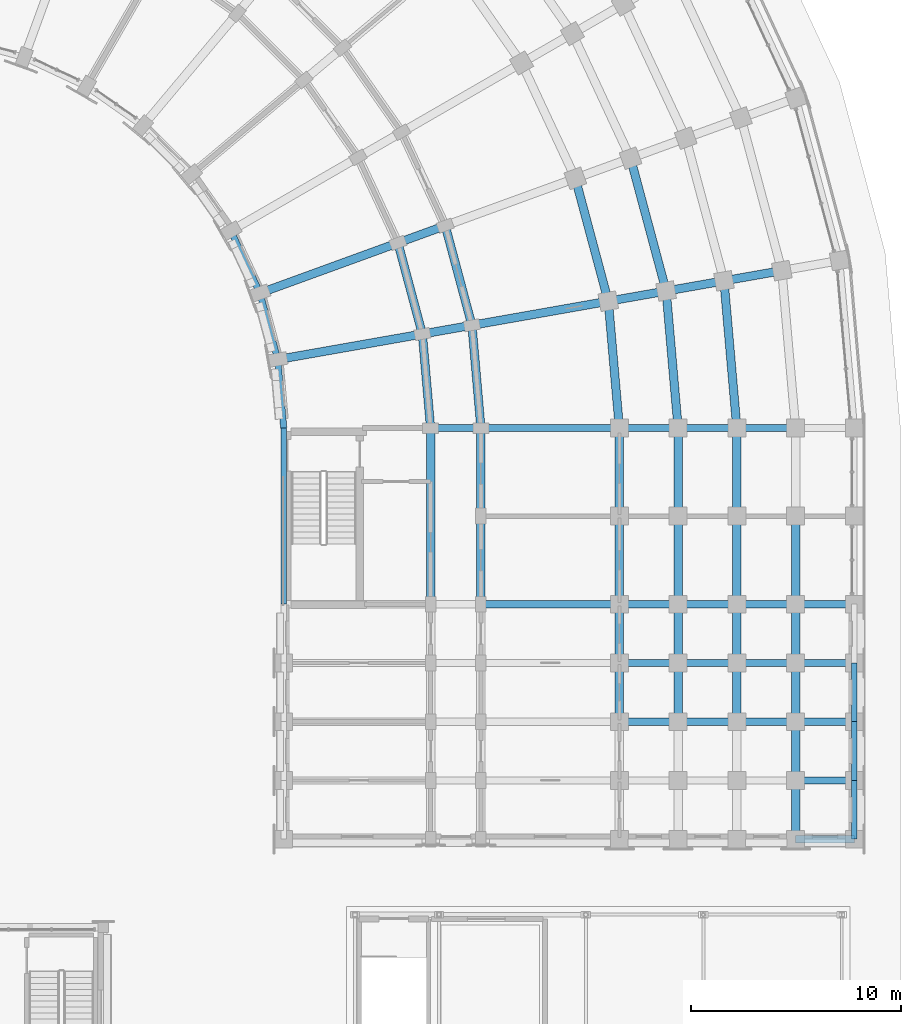
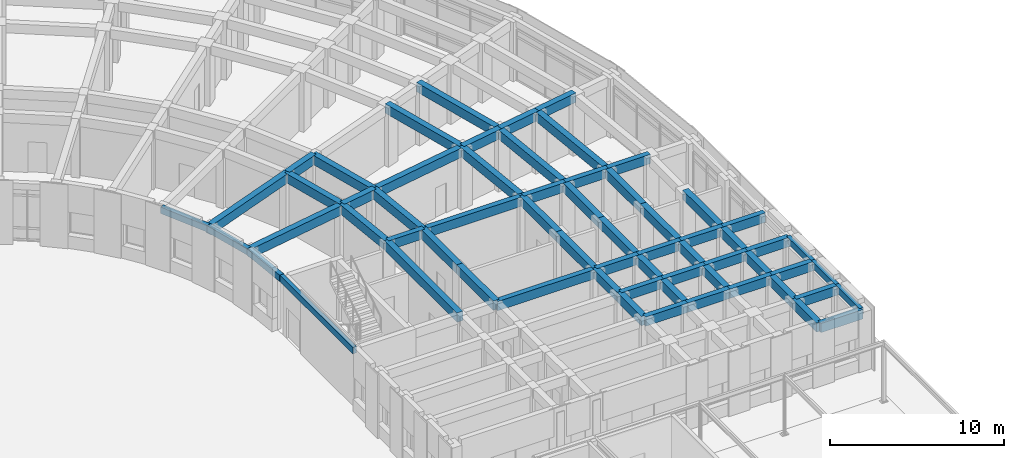
# One storey, part 48 of 135: 64 beams.
"""IFC4 building model written with IfcOpenShell, lengths in metres."""

import ifcopenshell
import ifcopenshell.guid

model = None  # the IFC model being written
_history = None  # IfcOwnerHistory: only IFC2X3 demands one
_inside = {}  # id of a spatial element -> (the spatial element, [elements in it])
_under = {}  # id of a project, library or spatial element -> (it, [spatial elements below it])
_declared = {}  # id of a project -> (the project, [libraries it declares])
_typed = {}  # id of a type object -> (the type object, [elements of that type])
_made_of = {}  # id of a material, layer set ... -> (it, [elements and type objects made of it])


def new_model(schema):
    """Start an empty IFC model of exactly this schema.

    Asked for "IFC4X3", IfcOpenShell would pick the latest addendum, in which some entities
    have other attributes; the version numbers below select the first issue.
    IFC2X3 requires an IfcOwnerHistory on every rooted entity: one is made here for all.
    """
    global model, _history
    if schema == "IFC4X3":
        model = ifcopenshell.file(schema_version=(4, 3, 0, 0))
    else:
        model = ifcopenshell.file(schema=schema)
    _inside.clear()
    _under.clear()
    _declared.clear()
    _typed.clear()
    _made_of.clear()
    _history = None
    if model.schema == "IFC2X3":
        org = make("IfcOrganization", Name="unknown")
        user = make(
            "IfcPersonAndOrganization",
            ThePerson=make("IfcPerson", FamilyName="unknown"),
            TheOrganization=org,
        )
        app = make(
            "IfcApplication",
            ApplicationDeveloper=org,
            Version="unknown",
            ApplicationFullName="unknown",
            ApplicationIdentifier="unknown",
        )
        _history = make(
            "IfcOwnerHistory",
            OwningUser=user,
            OwningApplication=app,
            ChangeAction="ADDED",
            CreationDate=0,
        )
    return model


def make(cls, **values):
    """One entity of the class cls with the attributes given. An attribute that is None is left unset."""
    return model.create_entity(
        cls, **{name: value for name, value in values.items() if value is not None}
    )


def rooted(cls, **values):
    """An entity with a GlobalId (a new one), such as an element, a storey or a relation."""
    return make(cls, GlobalId=ifcopenshell.guid.new(), OwnerHistory=_history, **values)


def si_unit(unit_type, name, prefix=None):
    """IfcSIUnit, for example si_unit("LENGTHUNIT", "METRE", prefix="MILLI")."""
    return make("IfcSIUnit", UnitType=unit_type, Prefix=prefix, Name=name)


def assignment(units):
    """IfcUnitAssignment: the units of a project."""
    return None if units is None else make("IfcUnitAssignment", Units=units)


def point(xyz):
    """IfcCartesianPoint."""
    return None if xyz is None else make("IfcCartesianPoint", Coordinates=xyz)


def direction(xyz):
    """IfcDirection."""
    return None if xyz is None else make("IfcDirection", DirectionRatios=xyz)


def frame(location, z_axis=None, x_axis=None):
    """IfcAxis2Placement3D, a coordinate frame: its origin and axes. An axis left out is left unset."""
    return make(
        "IfcAxis2Placement3D",
        Location=point(location),
        Axis=direction(z_axis),
        RefDirection=direction(x_axis),
    )


def frame_2d(location, x_axis=None):
    """IfcAxis2Placement2D, a coordinate frame in the plane: its origin and x axis."""
    return make(
        "IfcAxis2Placement2D", Location=point(location), RefDirection=direction(x_axis)
    )


def origin():
    """The frame at (0, 0, 0) with its axes left unset."""
    return frame((0.0, 0.0, 0.0))


def origin_2d():
    """The frame at (0, 0) in the plane with its x axis left unset."""
    return frame_2d((0.0, 0.0))


def place(relative_to, where):
    """IfcLocalPlacement: puts the frame where relative to a parent placement (None: the world)."""
    return make(
        "IfcLocalPlacement", PlacementRelTo=relative_to, RelativePlacement=where
    )


def context(
    kind, dimensions, precision=None, world=None, true_north=None, identifier=None
):
    """IfcGeometricRepresentationContext, for example the 3D "Model" context."""
    return make(
        "IfcGeometricRepresentationContext",
        ContextIdentifier=identifier,
        ContextType=kind,
        CoordinateSpaceDimension=dimensions,
        Precision=precision,
        WorldCoordinateSystem=world,
        TrueNorth=true_north,
    )


def subcontext(parent, identifier, kind, view, scale=None):
    """IfcGeometricRepresentationSubContext, for example "Body" below "Model"."""
    return make(
        "IfcGeometricRepresentationSubContext",
        ContextIdentifier=identifier,
        ContextType=kind,
        ParentContext=parent,
        TargetScale=scale,
        TargetView=view,
    )


def project(units=None, contexts=None):
    """IfcProject with its units and contexts."""
    return rooted(
        "IfcProject",
        Name="project",
        RepresentationContexts=contexts,
        UnitsInContext=assignment(units),
    )


def spatial(cls, under=None, at=None, **own):
    """A site, building, storey or space (cls), placed at a placement, below another one or the project."""
    s = rooted(cls, ObjectPlacement=at, **own)
    if under is not None:
        _under.setdefault(under.id(), (under, []))[1].append(s)
    return s


def profile(cls, at=None, kind="AREA", **sizes):
    """A parametric profile (cls). Its sizes go by their IFC names, for example OverallWidth=200.0."""
    return make(cls, ProfileType=kind, Position=at, **sizes)


def rectangle(**sizes):
    """IfcRectangleProfileDef."""
    return profile("IfcRectangleProfileDef", **sizes)


def extrude(swept, where, along, depth):
    """IfcExtrudedAreaSolid: the profile swept, set in the frame where, extruded along a direction by depth."""
    return make(
        "IfcExtrudedAreaSolid",
        SweptArea=swept,
        Position=where,
        ExtrudedDirection=direction(along),
        Depth=depth,
    )


def shape(context_of_items, identifier, shape_type, items):
    """IfcShapeRepresentation: the items that make up one representation, for example the "Body"."""
    return make(
        "IfcShapeRepresentation",
        ContextOfItems=context_of_items,
        RepresentationIdentifier=identifier,
        RepresentationType=shape_type,
        Items=items,
    )


def material(Name=None, Category=None):
    """IfcMaterial."""
    return make("IfcMaterial", Name=Name, Category=Category)


def material_profile(
    of_material, cross_section, Name=None, Category=None, Priority=None
):
    """IfcMaterialProfile: a cross section and its material."""
    return make(
        "IfcMaterialProfile",
        Name=Name,
        Material=of_material,
        Profile=cross_section,
        Priority=Priority,
        Category=Category,
    )


def profile_set(profiles, Name=None, composite=None):
    """IfcMaterialProfileSet."""
    return make(
        "IfcMaterialProfileSet",
        Name=Name,
        MaterialProfiles=profiles,
        CompositeProfile=composite,
    )


def made_of(thing, what):
    """Note that an element or type object is made of a material, layer set ...; save() writes the relation."""
    if what is not None:
        _made_of.setdefault(what.id(), (what, []))[1].append(thing)
    return thing


def type_object(cls, material=None, **own):
    """A type object (cls), such as IfcWallType, which elements share."""
    return made_of(rooted(cls, **own), material)


def element(
    cls,
    number,
    at=None,
    inside=None,
    cuts=None,
    type_object=None,
    material=None,
    context=None,
    identifier="Body",
    shape_type=None,
    held_by="IfcProductDefinitionShape",
    body=None,
    shapes=None,
    **own,
):
    """One element of the class cls, such as IfcWall. Its Tag is "e" and its number.

    at: its placement. inside: the storey or other place that contains it. cuts: it is an
    opening in that element (IfcRelVoidsElement). A single representation is given by context,
    identifier, shape_type and body (its items); several are given by shapes. held_by: the class
    of the entity that holds the representations. save() writes the other relations.
    """
    e = rooted(cls, Tag="e%d" % number, ObjectPlacement=at, **own)
    if body is not None:
        shapes = [shape(context, identifier, shape_type, body)]
    if shapes is not None:
        e.Representation = make(held_by, Representations=shapes)
    if inside is not None:
        _inside.setdefault(inside.id(), (inside, []))[1].append(e)
    if cuts is not None:
        rooted(
            "IfcRelVoidsElement", RelatingBuildingElement=cuts, RelatedOpeningElement=e
        )
    if type_object is not None:
        _typed.setdefault(type_object.id(), (type_object, []))[1].append(e)
    return made_of(e, material)


def aggregate(whole, parts):
    """IfcRelAggregates: a whole, such as a stair, and the parts it consists of."""
    return rooted("IfcRelAggregates", RelatingObject=whole, RelatedObjects=parts)


def save(model, path):
    """Write the relations noted so far, then the file.

    IfcRelAggregates (storeys below a building ...), IfcRelContainedInSpatialStructure (elements
    in a storey), IfcRelDefinesByType, IfcRelAssociatesMaterial and IfcRelDeclares: one each for
    every whole, place, type object, material and project.
    """
    for whole, parts in _under.values():
        aggregate(whole, parts)
    for where, things in _inside.values():
        rooted(
            "IfcRelContainedInSpatialStructure",
            RelatedElements=things,
            RelatingStructure=where,
        )
    for kind, things in _typed.values():
        rooted("IfcRelDefinesByType", RelatedObjects=things, RelatingType=kind)
    for what, things in _made_of.values():
        rooted("IfcRelAssociatesMaterial", RelatedObjects=things, RelatingMaterial=what)
    for by, libraries in _declared.values():
        rooted("IfcRelDeclares", RelatingContext=by, RelatedDefinitions=libraries)
    model.write(path)


model = new_model("IFC4")

# Units and contexts
model_context = context("Model", 3, precision=1e-05, world=origin(), true_north=direction((0.0, 1.0)))
body_context = subcontext(model_context, "Body", "Model", "MODEL_VIEW")
ifc_project = project(units=[si_unit("LENGTHUNIT", "METRE"), si_unit("AREAUNIT", "SQUARE_METRE"), si_unit("VOLUMEUNIT", "CUBIC_METRE"), si_unit("PLANEANGLEUNIT", "RADIAN"), si_unit("MASSUNIT", "GRAM", prefix="KILO")], contexts=[model_context])

# Site, building, storey
site_placement = place(None, origin())
site = spatial("IfcSite", under=ifc_project, at=site_placement, CompositionType="ELEMENT")
building_placement = place(site_placement, origin())
building = spatial("IfcBuilding", under=site, at=building_placement, Name="Kiranvali Square Residences", CompositionType="ELEMENT")
storey_placement = place(building_placement, origin())
storey = spatial("IfcBuildingStorey", under=building, at=storey_placement, Name="L00", CompositionType="ELEMENT", Elevation=0.0)

# Beams
ifc_material_1 = material(Name="Concrete M40 (40 MPa)", Category="concrete")
ifc_material_profile_1 = material_profile(ifc_material_1, rectangle(XDim=0.35009765625, YDim=0.64990234375, at=origin_2d()), Name="RC 350x650")
ifc_profile_set_1 = profile_set([ifc_material_profile_1], Name="Concrete M40 (40 MPa)")
beam_type_1 = type_object("IfcBeamType", Name="BM-M40-350x650", PredefinedType="BEAM", material=ifc_profile_set_1)
beam_1_placement = place(storey_placement, frame((145.60009765625, 87.800048828125, 3.824951171875), z_axis=(1.0, 0.0, 0.0), x_axis=(0.0, 1.0, 0.0)))
element("IfcBeam", 1, at=beam_1_placement, inside=storey, type_object=beam_type_1, Name="L00 beam BM-B-L00-A2T0-12", PredefinedType="BEAM", context=body_context, shape_type="SweptSolid", body=[
    extrude(rectangle(XDim=0.35009765625, YDim=0.64990234375, at=origin_2d()), origin(), (0.0, 0.0, 1.0), 2.39990234375),
])
beam_2_placement = place(storey_placement, frame((148.0, 87.800048828125, 3.824951171875), z_axis=(1.0, 0.0, 0.0), x_axis=(0.0, 1.0, 0.0)))
element("IfcBeam", 2, at=beam_2_placement, inside=storey, type_object=beam_type_1, Name="L00 beam BM-B-L00-A2T0-23", PredefinedType="BEAM", context=body_context, shape_type="SweptSolid", body=[
    extrude(rectangle(XDim=0.35009765625, YDim=0.64990234375, at=origin_2d()), origin(), (0.0, 0.0, 1.0), 6.60009765625),
])
beam_3_placement = place(storey_placement, frame((154.60009765625, 87.800048828125, 3.824951171875), z_axis=(1.0, 0.0, 0.0), x_axis=(0.0, 1.0, 0.0)))
element("IfcBeam", 3, at=beam_3_placement, inside=storey, type_object=beam_type_1, Name="L00 beam BM-B-L00-A2T0-34", PredefinedType="BEAM", context=body_context, shape_type="SweptSolid", body=[
    extrude(rectangle(XDim=0.35009765625, YDim=0.64990234375, at=origin_2d()), origin(), (0.0, 0.0, 1.0), 2.7998046875),
])
for number, where, z_axis, x_axis, name in (
    (4, (157.39990234375, 87.800048828125, 3.824951171875), (1.0, 0.0, 0.0), (0.0, 1.0, 0.0), "L00 beam BM-B-L00-A2T0-45"),
    (5, (160.199951171875, 87.800048828125, 3.824951171875), (1.0, 0.0, 0.0), (0.0, 1.0, 0.0), "L00 beam BM-B-L00-A2T0-56"),
):
    element("IfcBeam", number, at=place(storey_placement, frame(where, z_axis=z_axis, x_axis=x_axis)), inside=storey, type_object=beam_type_1, Name=name, PredefinedType="BEAM", context=body_context, shape_type="SweptSolid", body=[
        extrude(rectangle(XDim=0.35009765625, YDim=0.64990234375, at=origin_2d()), origin(), (0.0, 0.0, 1.0), 2.800048828125),
    ])
beam_4_placement = place(storey_placement, frame((148.0, 79.39990234375, 3.824951171875), z_axis=(1.0, 0.0, 0.0), x_axis=(0.0, 1.0, 0.0)))
element("IfcBeam", 6, at=beam_4_placement, inside=storey, type_object=beam_type_1, Name="L00 beam BM-B-L00-A2T1-23", PredefinedType="BEAM", context=body_context, shape_type="SweptSolid", body=[
    extrude(rectangle(XDim=0.35009765625, YDim=0.64990234375, at=origin_2d()), origin(), (0.0, 0.0, 1.0), 6.60009765625),
])
beam_5_placement = place(storey_placement, frame((154.60009765625, 79.39990234375, 3.824951171875), z_axis=(1.0, 0.0, 0.0), x_axis=(0.0, 1.0, 0.0)))
element("IfcBeam", 7, at=beam_5_placement, inside=storey, type_object=beam_type_1, Name="L00 beam BM-B-L00-A2T1-34", PredefinedType="BEAM", context=body_context, shape_type="SweptSolid", body=[
    extrude(rectangle(XDim=0.35009765625, YDim=0.64990234375, at=origin_2d()), origin(), (0.0, 0.0, 1.0), 2.7998046875),
])
for number, where, z_axis, x_axis, name in (
    (8, (157.39990234375, 79.39990234375, 3.824951171875), (1.0, 0.0, 0.0), (0.0, 1.0, 0.0), "L00 beam BM-B-L00-A2T1-45"),
    (9, (160.199951171875, 79.39990234375, 3.824951171875), (1.0, 0.0, 0.0), (0.0, 1.0, 0.0), "L00 beam BM-B-L00-A2T1-56"),
    (10, (163.0, 79.39990234375, 3.824951171875), (1.0, 0.0, 0.0), (0.0, 1.0, 0.0), "L00 beam BM-B-L00-A2T1-67"),
):
    element("IfcBeam", number, at=place(storey_placement, frame(where, z_axis=z_axis, x_axis=x_axis)), inside=storey, type_object=beam_type_1, Name=name, PredefinedType="BEAM", context=body_context, shape_type="SweptSolid", body=[
        extrude(rectangle(XDim=0.35009765625, YDim=0.64990234375, at=origin_2d()), origin(), (0.0, 0.0, 1.0), 2.800048828125),
    ])
beam_6_placement = place(storey_placement, frame((154.60009765625, 76.60009765625, 3.824951171875), z_axis=(1.0, 0.0, 0.0), x_axis=(0.0, 1.0, 0.0)))
element("IfcBeam", 11, at=beam_6_placement, inside=storey, type_object=beam_type_1, Name="L00 beam BM-B-L00-A2T2-34", PredefinedType="BEAM", context=body_context, shape_type="SweptSolid", body=[
    extrude(rectangle(XDim=0.35009765625, YDim=0.64990234375, at=origin_2d()), origin(), (0.0, 0.0, 1.0), 2.7998046875),
])
for number, where, z_axis, x_axis, name in (
    (12, (157.39990234375, 76.60009765625, 3.824951171875), (1.0, 0.0, 0.0), (0.0, 1.0, 0.0), "L00 beam BM-B-L00-A2T2-45"),
    (13, (160.199951171875, 76.60009765625, 3.824951171875), (1.0, 0.0, 0.0), (0.0, 1.0, 0.0), "L00 beam BM-B-L00-A2T2-56"),
    (14, (163.0, 76.60009765625, 3.824951171875), (1.0, 0.0, 0.0), (0.0, 1.0, 0.0), "L00 beam BM-B-L00-A2T2-67"),
):
    element("IfcBeam", number, at=place(storey_placement, frame(where, z_axis=z_axis, x_axis=x_axis)), inside=storey, type_object=beam_type_1, Name=name, PredefinedType="BEAM", context=body_context, shape_type="SweptSolid", body=[
        extrude(rectangle(XDim=0.35009765625, YDim=0.64990234375, at=origin_2d()), origin(), (0.0, 0.0, 1.0), 2.800048828125),
    ])
beam_7_placement = place(storey_placement, frame((154.60009765625, 73.800048828125, 3.824951171875), z_axis=(1.0, 0.0, 0.0), x_axis=(0.0, 1.0, 0.0)))
element("IfcBeam", 15, at=beam_7_placement, inside=storey, type_object=beam_type_1, Name="L00 beam BM-B-L00-A2T3-34", PredefinedType="BEAM", context=body_context, shape_type="SweptSolid", body=[
    extrude(rectangle(XDim=0.35009765625, YDim=0.64990234375, at=origin_2d()), origin(), (0.0, 0.0, 1.0), 2.7998046875),
])
for number, where, z_axis, x_axis, name in (
    (16, (157.39990234375, 73.800048828125, 3.824951171875), (1.0, 0.0, 0.0), (0.0, 1.0, 0.0), "L00 beam BM-B-L00-A2T3-45"),
    (17, (160.199951171875, 73.800048828125, 3.824951171875), (1.0, 0.0, 0.0), (0.0, 1.0, 0.0), "L00 beam BM-B-L00-A2T3-56"),
    (18, (163.0, 73.800048828125, 3.824951171875), (1.0, 0.0, 0.0), (0.0, 1.0, 0.0), "L00 beam BM-B-L00-A2T3-67"),
    (19, (163.0, 71.0, 3.824951171875), (1.0, 0.0, 0.0), (0.0, 1.0, 0.0), "L00 beam BM-B-L00-A2T4-67"),
    (20, (163.0, 68.199951171875, 3.824951171875), (1.0, 0.0, 0.0), (0.0, 1.0, 0.0), "L00 beam BM-B-L00-A2T5-67"),
):
    element("IfcBeam", number, at=place(storey_placement, frame(where, z_axis=z_axis, x_axis=x_axis)), inside=storey, type_object=beam_type_1, Name=name, PredefinedType="BEAM", context=body_context, shape_type="SweptSolid", body=[
        extrude(rectangle(XDim=0.35009765625, YDim=0.64990234375, at=origin_2d()), origin(), (0.0, 0.0, 1.0), 2.800048828125),
    ])
ifc_material_2 = material(Name="Concrete M45 (45 MPa)", Category="concrete")
ifc_material_profile_2 = material_profile(ifc_material_2, rectangle(XDim=0.39990234375, YDim=0.64990234375, at=origin_2d()), Name="RC 400x650")
ifc_profile_set_2 = profile_set([ifc_material_profile_2], Name="Concrete M45 (45 MPa)")
beam_type_2 = type_object("IfcBeamType", Name="BM-M45-400x650", PredefinedType="BEAM", material=ifc_profile_set_2)
beam_8_placement = place(storey_placement, frame((144.044189453125, 96.6240234375, 3.824951171875), z_axis=(0.258787642463, -0.965934240054, 0.0), x_axis=(0.965934240054, 0.258787642463, 0.0)))
element("IfcBeam", 21, at=beam_8_placement, inside=storey, type_object=beam_type_2, Name="L00 beam BM-B-L00-C07-R1", PredefinedType="BEAM", context=body_context, shape_type="SweptSolid", body=[
    extrude(rectangle(XDim=0.39990234375, YDim=0.64990234375, at=origin_2d()), origin(), (0.0, 0.0, 1.0), 4.497314453125),
])
beam_9_placement = place(storey_placement, frame((146.29931640625, 97.445068359375, 3.824951171875), z_axis=(0.258803112091, -0.965930095386, 0.0), x_axis=(0.965930095386, 0.258803112091, 0.0)))
element("IfcBeam", 22, at=beam_9_placement, inside=storey, type_object=beam_type_2, Name="L00 beam BM-B-L00-C07-R2", PredefinedType="BEAM", context=body_context, shape_type="SweptSolid", body=[
    extrude(rectangle(XDim=0.39990234375, YDim=0.64990234375, at=origin_2d()), origin(), (0.0, 0.0, 1.0), 4.915771484375),
])
beam_10_placement = place(storey_placement, frame((152.501220703125, 99.702392578125, 3.824951171875), z_axis=(0.258827283048, -0.965923618901, 0.0), x_axis=(0.965923618901, 0.258827283048, 0.0)))
element("IfcBeam", 23, at=beam_10_placement, inside=storey, type_object=beam_type_2, Name="L00 beam BM-B-L00-C07-R3", PredefinedType="BEAM", context=body_context, shape_type="SweptSolid", body=[
    extrude(rectangle(XDim=0.39990234375, YDim=0.64990234375, at=origin_2d()), origin(), (0.0, 0.0, 1.0), 6.066162109375),
])
beam_11_placement = place(storey_placement, frame((155.13232421875, 100.659912109375, 3.824951171875), z_axis=(0.258847178297, -0.965918287583, 0.0), x_axis=(0.965918287583, 0.258847178297, 0.0)))
element("IfcBeam", 24, at=beam_11_placement, inside=storey, type_object=beam_type_2, Name="L00 beam BM-B-L00-C07-R4", PredefinedType="BEAM", context=body_context, shape_type="SweptSolid", body=[
    extrude(rectangle(XDim=0.39990234375, YDim=0.64990234375, at=origin_2d()), origin(), (0.0, 0.0, 1.0), 6.55419921875),
])
beam_12_placement = place(storey_placement, frame((145.2080078125, 92.280029296875, 3.824951171875), z_axis=(0.087187153726, -0.996191949488, 0.0), x_axis=(0.996191949488, 0.087187153726, 0.0)))
element("IfcBeam", 25, at=beam_12_placement, inside=storey, type_object=beam_type_2, Name="L00 beam BM-B-L00-C08-R1", PredefinedType="BEAM", context=body_context, shape_type="SweptSolid", body=[
    extrude(rectangle(XDim=0.39990234375, YDim=0.64990234375, at=origin_2d()), origin(), (0.0, 0.0, 1.0), 4.4970703125),
])
beam_13_placement = place(storey_placement, frame((147.571533203125, 92.69677734375, 3.824951171875), z_axis=(0.087167566415, -0.996193663584, 0.0), x_axis=(0.996193663584, 0.087167566415, 0.0)))
element("IfcBeam", 26, at=beam_13_placement, inside=storey, type_object=beam_type_2, Name="L00 beam BM-B-L00-C08-R2", PredefinedType="BEAM", context=body_context, shape_type="SweptSolid", body=[
    extrude(rectangle(XDim=0.39990234375, YDim=0.64990234375, at=origin_2d()), origin(), (0.0, 0.0, 1.0), 4.91552734375),
])
beam_14_placement = place(storey_placement, frame((154.0712890625, 93.843017578125, 3.824951171875), z_axis=(0.087174938512, -0.996193018494, 0.0), x_axis=(0.996193018494, 0.087174938512, 0.0)))
element("IfcBeam", 27, at=beam_14_placement, inside=storey, type_object=beam_type_2, Name="L00 beam BM-B-L00-C08-R3", PredefinedType="BEAM", context=body_context, shape_type="SweptSolid", body=[
    extrude(rectangle(XDim=0.39990234375, YDim=0.64990234375, at=origin_2d()), origin(), (0.0, 0.0, 1.0), 6.066162109375),
])
beam_15_placement = place(storey_placement, frame((156.828857421875, 94.3291015625, 3.824951171875), z_axis=(0.0871295204, -0.996196991902, 0.0), x_axis=(0.996196991902, 0.0871295204, 0.0)))
element("IfcBeam", 28, at=beam_15_placement, inside=storey, type_object=beam_type_2, Name="L00 beam BM-B-L00-C08-R4", PredefinedType="BEAM", context=body_context, shape_type="SweptSolid", body=[
    extrude(rectangle(XDim=0.39990234375, YDim=0.64990234375, at=origin_2d()), origin(), (0.0, 0.0, 1.0), 6.553955078125),
])
beam_16_placement = place(storey_placement, frame((159.586181640625, 94.8154296875, 3.824951171875), z_axis=(0.087156198737, -0.996194658198, 0.0), x_axis=(0.996194658198, 0.087156198737, 0.0)))
element("IfcBeam", 29, at=beam_16_placement, inside=storey, type_object=beam_type_2, Name="L00 beam BM-B-L00-C08-R5", PredefinedType="BEAM", context=body_context, shape_type="SweptSolid", body=[
    extrude(rectangle(XDim=0.39990234375, YDim=0.64990234375, at=origin_2d()), origin(), (0.0, 0.0, 1.0), 7.042236328125),
])
beam_17_placement = place(storey_placement, frame((137.46630859375, 94.22998046875, 3.824951171875), z_axis=(0.939697665127, 0.342006283793, 0.0), x_axis=(-0.342006283793, 0.939697665127, 0.0)))
element("IfcBeam", 30, at=beam_17_placement, inside=storey, type_object=beam_type_2, Name="L00 beam BM-B-L00-RAD07-01", PredefinedType="BEAM", context=body_context, shape_type="SweptSolid", body=[
    extrude(rectangle(XDim=0.39990234375, YDim=0.64990234375, at=origin_2d()), origin(), (0.0, 0.0, 1.0), 7.0),
])
beam_18_placement = place(storey_placement, frame((144.044189453125, 96.6240234375, 3.824951171875), z_axis=(0.939659694648, 0.342110593602, 0.0), x_axis=(-0.342110593602, 0.939659694648, 0.0)))
element("IfcBeam", 31, at=beam_18_placement, inside=storey, type_object=beam_type_2, Name="L00 beam BM-B-L00-RAD07-12", PredefinedType="BEAM", context=body_context, shape_type="SweptSolid", body=[
    extrude(rectangle(XDim=0.39990234375, YDim=0.64990234375, at=origin_2d()), origin(), (0.0, 0.0, 1.0), 2.39990234375),
])
beam_19_placement = place(storey_placement, frame((138.314453125, 91.064697265625, 3.824951171875), z_axis=(0.984812337125, 0.173622177865, 0.0), x_axis=(-0.173622177865, 0.984812337125, 0.0)))
element("IfcBeam", 32, at=beam_19_placement, inside=storey, type_object=beam_type_2, Name="L00 beam BM-B-L00-RAD08-01", PredefinedType="BEAM", context=body_context, shape_type="SweptSolid", body=[
    extrude(rectangle(XDim=0.39990234375, YDim=0.64990234375, at=origin_2d()), origin(), (0.0, 0.0, 1.0), 6.999755859375),
])
beam_20_placement = place(storey_placement, frame((145.2080078125, 92.280029296875, 3.824951171875), z_axis=(0.984808127031, 0.173646056486, 0.0), x_axis=(-0.173646056486, 0.984808127031, 0.0)))
element("IfcBeam", 33, at=beam_20_placement, inside=storey, type_object=beam_type_2, Name="L00 beam BM-B-L00-RAD08-12", PredefinedType="BEAM", context=body_context, shape_type="SweptSolid", body=[
    extrude(rectangle(XDim=0.39990234375, YDim=0.64990234375, at=origin_2d()), origin(), (0.0, 0.0, 1.0), 2.39990234375),
])
beam_21_placement = place(storey_placement, frame((147.571533203125, 92.69677734375, 3.824951171875), z_axis=(0.984803661269, 0.173671381499, 0.0), x_axis=(-0.173671381499, 0.984803661269, 0.0)))
element("IfcBeam", 34, at=beam_21_placement, inside=storey, type_object=beam_type_2, Name="L00 beam BM-B-L00-RAD08-23", PredefinedType="BEAM", context=body_context, shape_type="SweptSolid", body=[
    extrude(rectangle(XDim=0.39990234375, YDim=0.64990234375, at=origin_2d()), origin(), (0.0, 0.0, 1.0), 6.60009765625),
])
beam_22_placement = place(storey_placement, frame((154.0712890625, 93.843017578125, 3.824951171875), z_axis=(0.984816895441, 0.173596320392, 0.0), x_axis=(-0.173596320392, 0.984816895441, 0.0)))
element("IfcBeam", 35, at=beam_22_placement, inside=storey, type_object=beam_type_2, Name="L00 beam BM-B-L00-RAD08-34", PredefinedType="BEAM", context=body_context, shape_type="SweptSolid", body=[
    extrude(rectangle(XDim=0.39990234375, YDim=0.64990234375, at=origin_2d()), origin(), (0.0, 0.0, 1.0), 2.800048828125),
])
beam_23_placement = place(storey_placement, frame((156.828857421875, 94.3291015625, 3.824951171875), z_axis=(0.984799355489, 0.173695795656, 0.0), x_axis=(-0.173695795656, 0.984799355489, 0.0)))
element("IfcBeam", 36, at=beam_23_placement, inside=storey, type_object=beam_type_2, Name="L00 beam BM-B-L00-RAD08-45", PredefinedType="BEAM", context=body_context, shape_type="SweptSolid", body=[
    extrude(rectangle(XDim=0.39990234375, YDim=0.64990234375, at=origin_2d()), origin(), (0.0, 0.0, 1.0), 2.7998046875),
])
beam_24_placement = place(storey_placement, frame((159.586181640625, 94.8154296875, 3.824951171875), z_axis=(0.984816895441, 0.173596320392, 0.0), x_axis=(-0.173596320392, 0.984816895441, 0.0)))
element("IfcBeam", 37, at=beam_24_placement, inside=storey, type_object=beam_type_2, Name="L00 beam BM-B-L00-RAD08-56", PredefinedType="BEAM", context=body_context, shape_type="SweptSolid", body=[
    extrude(rectangle(XDim=0.39990234375, YDim=0.64990234375, at=origin_2d()), origin(), (0.0, 0.0, 1.0), 2.800048828125),
])
beam_25_placement = place(storey_placement, frame((145.60009765625, 87.800048828125, 3.824951171875), z_axis=(0.0, -1.0, 0.0), x_axis=(1.0, 0.0, 0.0)))
element("IfcBeam", 38, at=beam_25_placement, inside=storey, type_object=beam_type_2, Name="L00 beam BM-B-L00-A2V0-R1", PredefinedType="BEAM", context=body_context, shape_type="SweptSolid", body=[
    extrude(rectangle(XDim=0.39990234375, YDim=0.64990234375, at=origin_2d()), origin(), (0.0, 0.0, 1.0), 8.400146484375),
])
beam_26_placement = place(storey_placement, frame((148.0, 87.800048828125, 3.824951171875), z_axis=(0.0, -1.0, 0.0), x_axis=(1.0, 0.0, 0.0)))
element("IfcBeam", 39, at=beam_26_placement, inside=storey, type_object=beam_type_2, Name="L00 beam BM-B-L00-A2V0-R2", PredefinedType="BEAM", context=body_context, shape_type="SweptSolid", body=[
    extrude(rectangle(XDim=0.39990234375, YDim=0.64990234375, at=origin_2d()), origin(), (0.0, 0.0, 1.0), 4.199951171875),
])
beam_27_placement = place(storey_placement, frame((148.0, 83.60009765625, 3.824951171875), z_axis=(0.0, -1.0, 0.0), x_axis=(1.0, 0.0, 0.0)))
element("IfcBeam", 40, at=beam_27_placement, inside=storey, type_object=beam_type_2, Name="L00 beam BM-B-L00-A2V1-R2", PredefinedType="BEAM", context=body_context, shape_type="SweptSolid", body=[
    extrude(rectangle(XDim=0.39990234375, YDim=0.64990234375, at=origin_2d()), origin(), (0.0, 0.0, 1.0), 4.2001953125),
])
beam_28_placement = place(storey_placement, frame((154.60009765625, 87.800048828125, 3.824951171875), z_axis=(0.0, -1.0, 0.0), x_axis=(1.0, 0.0, 0.0)))
element("IfcBeam", 41, at=beam_28_placement, inside=storey, type_object=beam_type_2, Name="L00 beam BM-B-L00-A2V0-R3", PredefinedType="BEAM", context=body_context, shape_type="SweptSolid", body=[
    extrude(rectangle(XDim=0.39990234375, YDim=0.64990234375, at=origin_2d()), origin(), (0.0, 0.0, 1.0), 4.199951171875),
])
beam_29_placement = place(storey_placement, frame((154.60009765625, 83.60009765625, 3.824951171875), z_axis=(0.0, -1.0, 0.0), x_axis=(1.0, 0.0, 0.0)))
element("IfcBeam", 42, at=beam_29_placement, inside=storey, type_object=beam_type_2, Name="L00 beam BM-B-L00-A2V1-R3", PredefinedType="BEAM", context=body_context, shape_type="SweptSolid", body=[
    extrude(rectangle(XDim=0.39990234375, YDim=0.64990234375, at=origin_2d()), origin(), (0.0, 0.0, 1.0), 4.2001953125),
])
beam_30_placement = place(storey_placement, frame((154.60009765625, 79.39990234375, 3.824951171875), z_axis=(0.0, -1.0, 0.0), x_axis=(1.0, 0.0, 0.0)))
element("IfcBeam", 43, at=beam_30_placement, inside=storey, type_object=beam_type_2, Name="L00 beam BM-B-L00-A2V2-R3", PredefinedType="BEAM", context=body_context, shape_type="SweptSolid", body=[
    extrude(rectangle(XDim=0.39990234375, YDim=0.64990234375, at=origin_2d()), origin(), (0.0, 0.0, 1.0), 2.7998046875),
])
beam_31_placement = place(storey_placement, frame((154.60009765625, 76.60009765625, 3.824951171875), z_axis=(0.0, -1.0, 0.0), x_axis=(1.0, 0.0, 0.0)))
element("IfcBeam", 44, at=beam_31_placement, inside=storey, type_object=beam_type_2, Name="L00 beam BM-B-L00-A2V3-R3", PredefinedType="BEAM", context=body_context, shape_type="SweptSolid", body=[
    extrude(rectangle(XDim=0.39990234375, YDim=0.64990234375, at=origin_2d()), origin(), (0.0, 0.0, 1.0), 2.800048828125),
])
beam_32_placement = place(storey_placement, frame((157.39990234375, 87.800048828125, 3.824951171875), z_axis=(0.0, -1.0, 0.0), x_axis=(1.0, 0.0, 0.0)))
element("IfcBeam", 45, at=beam_32_placement, inside=storey, type_object=beam_type_2, Name="L00 beam BM-B-L00-A2V0-R4", PredefinedType="BEAM", context=body_context, shape_type="SweptSolid", body=[
    extrude(rectangle(XDim=0.39990234375, YDim=0.64990234375, at=origin_2d()), origin(), (0.0, 0.0, 1.0), 4.199951171875),
])
beam_33_placement = place(storey_placement, frame((157.39990234375, 83.60009765625, 3.824951171875), z_axis=(0.0, -1.0, 0.0), x_axis=(1.0, 0.0, 0.0)))
element("IfcBeam", 46, at=beam_33_placement, inside=storey, type_object=beam_type_2, Name="L00 beam BM-B-L00-A2V1-R4", PredefinedType="BEAM", context=body_context, shape_type="SweptSolid", body=[
    extrude(rectangle(XDim=0.39990234375, YDim=0.64990234375, at=origin_2d()), origin(), (0.0, 0.0, 1.0), 4.2001953125),
])
beam_34_placement = place(storey_placement, frame((157.39990234375, 79.39990234375, 3.824951171875), z_axis=(0.0, -1.0, 0.0), x_axis=(1.0, 0.0, 0.0)))
element("IfcBeam", 47, at=beam_34_placement, inside=storey, type_object=beam_type_2, Name="L00 beam BM-B-L00-A2V2-R4", PredefinedType="BEAM", context=body_context, shape_type="SweptSolid", body=[
    extrude(rectangle(XDim=0.39990234375, YDim=0.64990234375, at=origin_2d()), origin(), (0.0, 0.0, 1.0), 2.7998046875),
])
beam_35_placement = place(storey_placement, frame((157.39990234375, 76.60009765625, 3.824951171875), z_axis=(0.0, -1.0, 0.0), x_axis=(1.0, 0.0, 0.0)))
element("IfcBeam", 48, at=beam_35_placement, inside=storey, type_object=beam_type_2, Name="L00 beam BM-B-L00-A2V3-R4", PredefinedType="BEAM", context=body_context, shape_type="SweptSolid", body=[
    extrude(rectangle(XDim=0.39990234375, YDim=0.64990234375, at=origin_2d()), origin(), (0.0, 0.0, 1.0), 2.800048828125),
])
beam_36_placement = place(storey_placement, frame((160.199951171875, 87.800048828125, 3.824951171875), z_axis=(0.0, -1.0, 0.0), x_axis=(1.0, 0.0, 0.0)))
element("IfcBeam", 49, at=beam_36_placement, inside=storey, type_object=beam_type_2, Name="L00 beam BM-B-L00-A2V0-R5", PredefinedType="BEAM", context=body_context, shape_type="SweptSolid", body=[
    extrude(rectangle(XDim=0.39990234375, YDim=0.64990234375, at=origin_2d()), origin(), (0.0, 0.0, 1.0), 4.199951171875),
])
beam_37_placement = place(storey_placement, frame((160.199951171875, 83.60009765625, 3.824951171875), z_axis=(0.0, -1.0, 0.0), x_axis=(1.0, 0.0, 0.0)))
element("IfcBeam", 50, at=beam_37_placement, inside=storey, type_object=beam_type_2, Name="L00 beam BM-B-L00-A2V1-R5", PredefinedType="BEAM", context=body_context, shape_type="SweptSolid", body=[
    extrude(rectangle(XDim=0.39990234375, YDim=0.64990234375, at=origin_2d()), origin(), (0.0, 0.0, 1.0), 4.2001953125),
])
beam_38_placement = place(storey_placement, frame((160.199951171875, 79.39990234375, 3.824951171875), z_axis=(0.0, -1.0, 0.0), x_axis=(1.0, 0.0, 0.0)))
element("IfcBeam", 51, at=beam_38_placement, inside=storey, type_object=beam_type_2, Name="L00 beam BM-B-L00-A2V2-R5", PredefinedType="BEAM", context=body_context, shape_type="SweptSolid", body=[
    extrude(rectangle(XDim=0.39990234375, YDim=0.64990234375, at=origin_2d()), origin(), (0.0, 0.0, 1.0), 2.7998046875),
])
beam_39_placement = place(storey_placement, frame((160.199951171875, 76.60009765625, 3.824951171875), z_axis=(0.0, -1.0, 0.0), x_axis=(1.0, 0.0, 0.0)))
element("IfcBeam", 52, at=beam_39_placement, inside=storey, type_object=beam_type_2, Name="L00 beam BM-B-L00-A2V3-R5", PredefinedType="BEAM", context=body_context, shape_type="SweptSolid", body=[
    extrude(rectangle(XDim=0.39990234375, YDim=0.64990234375, at=origin_2d()), origin(), (0.0, 0.0, 1.0), 2.800048828125),
])
beam_40_placement = place(storey_placement, frame((163.0, 83.60009765625, 3.824951171875), z_axis=(0.0, -1.0, 0.0), x_axis=(1.0, 0.0, 0.0)))
element("IfcBeam", 53, at=beam_40_placement, inside=storey, type_object=beam_type_2, Name="L00 beam BM-B-L00-A2V1-R6", PredefinedType="BEAM", context=body_context, shape_type="SweptSolid", body=[
    extrude(rectangle(XDim=0.39990234375, YDim=0.64990234375, at=origin_2d()), origin(), (0.0, 0.0, 1.0), 4.2001953125),
])
beam_41_placement = place(storey_placement, frame((163.0, 79.39990234375, 3.824951171875), z_axis=(0.0, -1.0, 0.0), x_axis=(1.0, 0.0, 0.0)))
element("IfcBeam", 54, at=beam_41_placement, inside=storey, type_object=beam_type_2, Name="L00 beam BM-B-L00-A2V2-R6", PredefinedType="BEAM", context=body_context, shape_type="SweptSolid", body=[
    extrude(rectangle(XDim=0.39990234375, YDim=0.64990234375, at=origin_2d()), origin(), (0.0, 0.0, 1.0), 2.7998046875),
])
for number, where, z_axis, x_axis, name in (
    (55, (163.0, 76.60009765625, 3.824951171875), (0.0, -1.0, 0.0), (1.0, 0.0, 0.0), "L00 beam BM-B-L00-A2V3-R6"),
    (56, (163.0, 73.800048828125, 3.824951171875), (0.0, -1.0, 0.0), (1.0, 0.0, 0.0), "L00 beam BM-B-L00-A2V4-R6"),
    (57, (163.0, 71.0, 3.824951171875), (0.0, -1.0, 0.0), (1.0, 0.0, 0.0), "L00 beam BM-B-L00-A2V5-R6"),
):
    element("IfcBeam", number, at=place(storey_placement, frame(where, z_axis=z_axis, x_axis=x_axis)), inside=storey, type_object=beam_type_2, Name=name, PredefinedType="BEAM", context=body_context, shape_type="SweptSolid", body=[
        extrude(rectangle(XDim=0.39990234375, YDim=0.64990234375, at=origin_2d()), origin(), (0.0, 0.0, 1.0), 2.800048828125),
    ])
ifc_material_profile_3 = material_profile(ifc_material_1, rectangle(XDim=0.25, YDim=0.449951171875, at=origin_2d()), Name="RC 250x450")
ifc_profile_set_3 = profile_set([ifc_material_profile_3], Name="Concrete M40 (40 MPa)")
beam_type_3 = type_object("IfcBeamType", Name="SPN-M40-250x450", PredefinedType="SPANDREL", material=ifc_profile_set_3)
beam_42_placement = place(storey_placement, frame((138.60009765625, 87.800048828125, 3.925048828125), z_axis=(0.0, -1.0, 0.0), x_axis=(1.0, 0.0, 0.0)))
element("IfcBeam", 58, at=beam_42_placement, inside=storey, type_object=beam_type_3, Name="L00 beam BM-B-L00-A2V0-R0", PredefinedType="SPANDREL", context=body_context, shape_type="SweptSolid", body=[
    extrude(rectangle(XDim=0.25, YDim=0.449951171875, at=origin_2d()), origin(), (0.0, 0.0, 1.0), 8.400146484375),
])
for number, where, z_axis, x_axis, name in (
    (59, (165.800048828125, 76.60009765625, 3.925048828125), (0.0, -1.0, 0.0), (1.0, 0.0, 0.0), "L00 beam BM-B-L00-A2V3-R7"),
    (60, (165.800048828125, 73.800048828125, 3.925048828125), (0.0, -1.0, 0.0), (1.0, 0.0, 0.0), "L00 beam BM-B-L00-A2V4-R7"),
    (61, (165.800048828125, 71.0, 3.925048828125), (0.0, -1.0, 0.0), (1.0, 0.0, 0.0), "L00 beam BM-B-L00-A2V5-R7"),
):
    element("IfcBeam", number, at=place(storey_placement, frame(where, z_axis=z_axis, x_axis=x_axis)), inside=storey, type_object=beam_type_3, Name=name, PredefinedType="SPANDREL", context=body_context, shape_type="SweptSolid", body=[
        extrude(rectangle(XDim=0.25, YDim=0.449951171875, at=origin_2d()), origin(), (0.0, 0.0, 1.0), 2.800048828125),
    ])
ifc_material_profile_4 = material_profile(ifc_material_1, rectangle(XDim=0.300048828125, YDim=0.449951171875, at=origin_2d()), Name="RC 300x450")
ifc_profile_set_4 = profile_set([ifc_material_profile_4], Name="Concrete M40 (40 MPa)")
beam_type_4 = type_object("IfcBeamType", Name="SPN-M40-300x450", PredefinedType="SPANDREL", material=ifc_profile_set_4)
beam_43_placement = place(storey_placement, frame((136.081298828125, 97.199951171875, 3.925048828125), z_axis=(0.422640740585, -0.90629730464, 0.0), x_axis=(0.90629730464, 0.422640740585, 0.0)))
element("IfcBeam", 62, at=beam_43_placement, inside=storey, type_object=beam_type_4, Name="L00 beam BM-B-L00-C06-R0", PredefinedType="SPANDREL", context=body_context, shape_type="SweptSolid", body=[
    extrude(rectangle(XDim=0.300048828125, YDim=0.449951171875, at=origin_2d()), origin(), (0.0, 0.0, 1.0), 3.277099609375),
])
beam_44_placement = place(storey_placement, frame((137.46630859375, 94.22998046875, 3.925048828125), z_axis=(0.258821736607, -0.965925105099, 0.0), x_axis=(0.965925105099, 0.258821736607, 0.0)))
element("IfcBeam", 63, at=beam_44_placement, inside=storey, type_object=beam_type_4, Name="L00 beam BM-B-L00-C07-R0", PredefinedType="SPANDREL", context=body_context, shape_type="SweptSolid", body=[
    extrude(rectangle(XDim=0.300048828125, YDim=0.449951171875, at=origin_2d()), origin(), (0.0, 0.0, 1.0), 3.27685546875),
])
beam_45_placement = place(storey_placement, frame((138.314453125, 91.064697265625, 3.925048828125), z_axis=(0.087163253657, -0.996194040944, 0.0), x_axis=(0.996194040944, 0.087163253657, 0.0)))
element("IfcBeam", 64, at=beam_45_placement, inside=storey, type_object=beam_type_4, Name="L00 beam BM-B-L00-C08-R0", PredefinedType="SPANDREL", context=body_context, shape_type="SweptSolid", body=[
    extrude(rectangle(XDim=0.300048828125, YDim=0.449951171875, at=origin_2d()), origin(), (0.0, 0.0, 1.0), 3.277099609375),
])

save(model, "model.ifc")
